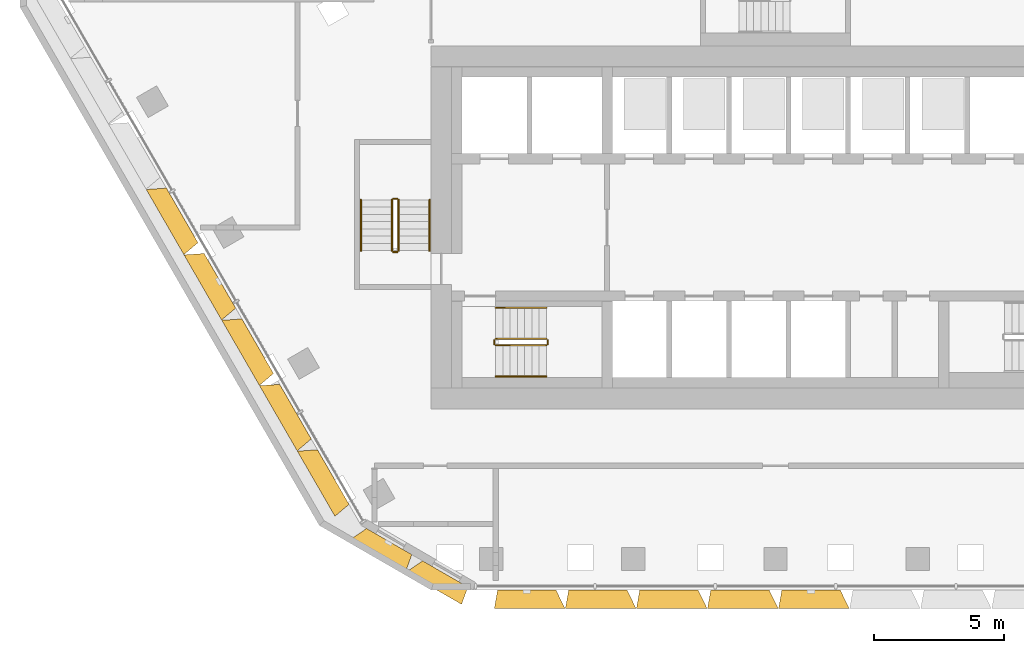
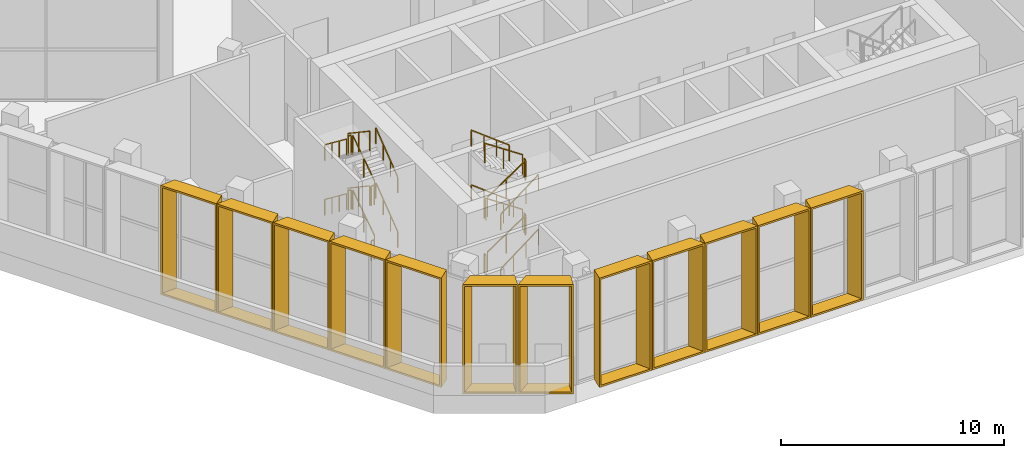
# One storey, part 22 of 27: 24 railings, 12 shading devices.
"""IFC4 building model written with IfcOpenShell, lengths in metres."""

from ifc_helpers import new_model, entity, si_unit, direction, frame, origin, origin_2d, place, context, subcontext, project, spatial, rectangle, extrude, source, transform, mapped, material, type_object, type_shapes, element, save


model = new_model("IFC4")

# Units and contexts
model_context = context("Model", 3, precision=1e-05, world=origin(), true_north=direction((0.0, 1.0)))
body_context = subcontext(model_context, "Body", "Model", "MODEL_VIEW")
ifc_project = project(units=[si_unit("LENGTHUNIT", "METRE"), si_unit("AREAUNIT", "SQUARE_METRE"), si_unit("VOLUMEUNIT", "CUBIC_METRE"), si_unit("PLANEANGLEUNIT", "RADIAN"), si_unit("MASSUNIT", "GRAM", prefix="KILO")], contexts=[model_context])

# Site, building, storey
site_placement = place(None, origin())
site = spatial("IfcSite", under=ifc_project, at=site_placement, CompositionType="ELEMENT")
building_placement = place(site_placement, origin())
building = spatial("IfcBuilding", under=site, at=building_placement, Name="Beryl Residences", CompositionType="ELEMENT")
storey_placement = place(building_placement, frame((0.0, 0.0, 111.60009765625)))
storey = spatial("IfcBuildingStorey", under=building, at=storey_placement, Name="L34", CompositionType="ELEMENT", Elevation=111.60009765625)

# Shading devices
ifc_material_1 = material(Name="Aluminium pale anodised", Category="aluminium")
shading_device_type_1 = type_object("IfcShadingDeviceType", Name="FR250-70B-H60 OUTER SKIN frame 700 mm deep, splay 26/10 deg, 2500 x 6000 mm cell", PredefinedType="USERDEFINED", material=ifc_material_1)
cartesian_point_1 = entity("IfcCartesianPoint", [-1.007568359375, 0.0])
cartesian_point_2 = entity("IfcCartesianPoint", [-0.91845703125, 0.10009765625])
cartesian_point_3 = entity("IfcCartesianPoint", [-1.348876953125, 0.0])
cartesian_point_4 = entity("IfcCartesianPoint", [-1.260009765625, 0.10009765625])
shared_shape_1 = source(origin(), body_context, "Body", "SweptSolid", [
    entity("IfcExtrudedAreaSolidTapered", entity("IfcArbitraryProfileDefWithVoids", "AREA", None, entity("IfcPolyline", [cartesian_point_1, entity("IfcCartesianPoint", [1.007568359375, 0.0]), entity("IfcCartesianPoint", [1.007568359375, 6.0]), entity("IfcCartesianPoint", [-1.007568359375, 6.0]), cartesian_point_1]), [entity("IfcPolyline", [cartesian_point_2, entity("IfcCartesianPoint", [0.92626953125, 0.10009765625]), entity("IfcCartesianPoint", [0.92626953125, 5.89990234375]), entity("IfcCartesianPoint", [-0.91845703125, 5.89990234375]), cartesian_point_2])]), entity("IfcAxis2Placement3D", entity("IfcCartesianPoint", [0.0, 0.0, 0.0]), entity("IfcDirection", [0.0, 1.0, 0.0]), entity("IfcDirection", [-1.0, 0.0, 0.0])), entity("IfcDirection", [0.0, 0.0, 1.0]), 0.699951171875, entity("IfcArbitraryProfileDefWithVoids", "AREA", None, entity("IfcPolyline", [cartesian_point_3, entity("IfcCartesianPoint", [1.130859375, 0.0]), entity("IfcCartesianPoint", [1.130859375, 6.0]), entity("IfcCartesianPoint", [-1.348876953125, 6.0]), cartesian_point_3]), [entity("IfcPolyline", [cartesian_point_4, entity("IfcCartesianPoint", [1.0498046875, 0.10009765625]), entity("IfcCartesianPoint", [1.0498046875, 5.89990234375]), entity("IfcCartesianPoint", [-1.260009765625, 5.89990234375]), cartesian_point_4])])),
])
type_shapes(shading_device_type_1, [shared_shape_1])
for number, where, z_axis, x_axis, name in (
    (1, (-14.909912109375, -24.125, 0.0), (0.0, 0.0, 1.0), (-0.866025403784, 0.5, 0.0), "FR250-70B-H60 frame L34 SW-S 1"),
    (2, (-12.7451171875, -25.375, 0.0), (0.0, 0.0, 1.0), (-0.866025403784, 0.5, 0.0), "FR250-70B-H60 frame L34 SW-S 2"),
):
    element("IfcShadingDevice", number, at=place(storey_placement, frame(where, z_axis=z_axis, x_axis=x_axis)), inside=storey, type_object=shading_device_type_1, Name=name, ObjectType="OUTER SKIN", PredefinedType="USERDEFINED", context=body_context, shape_type="MappedRepresentation", body=[
        mapped(shared_shape_1, transform((0.0, 0.0, 0.0))),
    ])
ifc_material_2 = material(Name="Aluminium pale anodised", Category="aluminium")
shading_device_type_2 = type_object("IfcShadingDeviceType", Name="FR274-70C-H60 OUTER SKIN frame 700 mm deep, splay 10/26 deg, 2740 x 6000 mm cell", PredefinedType="USERDEFINED", material=ifc_material_2)
cartesian_point_5 = entity("IfcCartesianPoint", [-1.12744140625, 0.0])
cartesian_point_6 = entity("IfcCartesianPoint", [-1.04638671875, 0.10009765625])
cartesian_point_7 = entity("IfcCartesianPoint", [-1.2509765625, 0.0])
cartesian_point_8 = entity("IfcCartesianPoint", [-1.169677734375, 0.10009765625])
shared_shape_2 = source(origin(), body_context, "Body", "SweptSolid", [
    entity("IfcExtrudedAreaSolidTapered", entity("IfcArbitraryProfileDefWithVoids", "AREA", None, entity("IfcPolyline", [cartesian_point_5, entity("IfcCartesianPoint", [1.12744140625, 0.0]), entity("IfcCartesianPoint", [1.12744140625, 6.0]), entity("IfcCartesianPoint", [-1.12744140625, 6.0]), cartesian_point_5]), [entity("IfcPolyline", [cartesian_point_6, entity("IfcCartesianPoint", [1.03857421875, 0.10009765625]), entity("IfcCartesianPoint", [1.03857421875, 5.89990234375]), entity("IfcCartesianPoint", [-1.04638671875, 5.89990234375]), cartesian_point_6])]), entity("IfcAxis2Placement3D", entity("IfcCartesianPoint", [0.0, 0.0, 0.0]), entity("IfcDirection", [0.0, 1.0, 0.0]), entity("IfcDirection", [-1.0, 0.0, 0.0])), entity("IfcDirection", [0.0, 0.0, 1.0]), 0.699951171875, entity("IfcArbitraryProfileDefWithVoids", "AREA", None, entity("IfcPolyline", [cartesian_point_7, entity("IfcCartesianPoint", [1.468994140625, 0.0]), entity("IfcCartesianPoint", [1.468994140625, 6.0]), entity("IfcCartesianPoint", [-1.2509765625, 6.0]), cartesian_point_7]), [entity("IfcPolyline", [cartesian_point_8, entity("IfcCartesianPoint", [1.3798828125, 0.10009765625]), entity("IfcCartesianPoint", [1.3798828125, 5.89990234375]), entity("IfcCartesianPoint", [-1.169677734375, 5.89990234375]), cartesian_point_8])])),
])
type_shapes(shading_device_type_2, [shared_shape_2])
for number, where, z_axis, x_axis, name in (
    (3, (-9.597900390625, -26.0, 0.0), (0.0, 0.0, 1.0), (-1.0, 0.0, 0.0), "FR274-70C-H60 frame L34 S 1"),
    (4, (-6.85498046875, -26.0, 0.0), (0.0, 0.0, 1.0), (-1.0, 0.0, 0.0), "FR274-70C-H60 frame L34 S 2"),
    (5, (-4.113037109375, -26.0, 0.0), (0.0, 0.0, 1.0), (-1.0, 0.0, 0.0), "FR274-70C-H60 frame L34 S 3"),
    (6, (-1.3701171875, -26.0, 0.0), (0.0, 0.0, 1.0), (-1.0, 0.0, 0.0), "FR274-70C-H60 frame L34 S 4"),
    (7, (1.3720703125, -26.0, 0.0), (0.0, 0.0, 1.0), (-1.0, 0.0, 0.0), "FR274-70C-H60 frame L34 S 5"),
):
    element("IfcShadingDevice", number, at=place(storey_placement, frame(where, z_axis=z_axis, x_axis=x_axis)), inside=storey, type_object=shading_device_type_2, Name=name, ObjectType="OUTER SKIN", PredefinedType="USERDEFINED", context=body_context, shape_type="MappedRepresentation", body=[
        mapped(shared_shape_2, transform((0.0, 0.0, 0.0))),
    ])
ifc_material_3 = material(Name="Aluminium pale anodised", Category="aluminium")
shading_device_type_3 = type_object("IfcShadingDeviceType", Name="FR292-70B-H60 OUTER SKIN frame 700 mm deep, splay 26/10 deg, 2920 x 6000 mm cell", PredefinedType="USERDEFINED", material=ifc_material_3)
cartesian_point_9 = entity("IfcCartesianPoint", [-1.217529296875, 0.0])
cartesian_point_10 = entity("IfcCartesianPoint", [-1.12841796875, 0.10009765625])
cartesian_point_11 = entity("IfcCartesianPoint", [-1.558837890625, 0.0])
cartesian_point_12 = entity("IfcCartesianPoint", [-1.469970703125, 0.10009765625])
shared_shape_3 = source(origin(), body_context, "Body", "SweptSolid", [
    entity("IfcExtrudedAreaSolidTapered", entity("IfcArbitraryProfileDefWithVoids", "AREA", None, entity("IfcPolyline", [cartesian_point_9, entity("IfcCartesianPoint", [1.217529296875, 0.0]), entity("IfcCartesianPoint", [1.217529296875, 6.0]), entity("IfcCartesianPoint", [-1.217529296875, 6.0]), cartesian_point_9]), [entity("IfcPolyline", [cartesian_point_10, entity("IfcCartesianPoint", [1.13623046875, 0.10009765625]), entity("IfcCartesianPoint", [1.13623046875, 5.89990234375]), entity("IfcCartesianPoint", [-1.12841796875, 5.89990234375]), cartesian_point_10])]), entity("IfcAxis2Placement3D", entity("IfcCartesianPoint", [0.0, 0.0, 0.0]), entity("IfcDirection", [0.0, 1.0, 0.0]), entity("IfcDirection", [-1.0, 0.0, 0.0])), entity("IfcDirection", [0.0, 0.0, 1.0]), 0.699951171875, entity("IfcArbitraryProfileDefWithVoids", "AREA", None, entity("IfcPolyline", [cartesian_point_11, entity("IfcCartesianPoint", [1.3408203125, 0.0]), entity("IfcCartesianPoint", [1.3408203125, 6.0]), entity("IfcCartesianPoint", [-1.558837890625, 6.0]), cartesian_point_11]), [entity("IfcPolyline", [cartesian_point_12, entity("IfcCartesianPoint", [1.259765625, 0.10009765625]), entity("IfcCartesianPoint", [1.259765625, 5.89990234375]), entity("IfcCartesianPoint", [-1.469970703125, 5.89990234375]), cartesian_point_12])])),
])
type_shapes(shading_device_type_3, [shared_shape_3])
for number, where, z_axis, x_axis, name in (
    (8, (-22.89892578125, -11.537109375, 0.0), (0.0, 0.0, 1.0), (-0.5, 0.866025403784, 0.0), "FR292-70B-H60 frame L34 SW 4"),
    (9, (-21.44189453125, -14.06201171875, 0.0), (0.0, 0.0, 1.0), (-0.5, 0.866025403784, 0.0), "FR292-70B-H60 frame L34 SW 5"),
    (10, (-19.98388671875, -16.5859375, 0.0), (0.0, 0.0, 1.0), (-0.5, 0.866025403784, 0.0), "FR292-70B-H60 frame L34 SW 6"),
    (11, (-18.52587890625, -19.111083984375, 0.0), (0.0, 0.0, 1.0), (-0.5, 0.866025403784, 0.0), "FR292-70B-H60 frame L34 SW 7"),
    (12, (-17.068115234375, -21.635986328125, 0.0), (0.0, 0.0, 1.0), (-0.5, 0.866025403784, 0.0), "FR292-70B-H60 frame L34 SW 8"),
):
    element("IfcShadingDevice", number, at=place(storey_placement, frame(where, z_axis=z_axis, x_axis=x_axis)), inside=storey, type_object=shading_device_type_3, Name=name, ObjectType="OUTER SKIN", PredefinedType="USERDEFINED", context=body_context, shape_type="MappedRepresentation", body=[
        mapped(shared_shape_3, transform((0.0, 0.0, 0.0))),
    ])

# Railings
ifc_material_4 = material(Name="Stainless steel balustrade with glass infill", Category="steel")
railing_type_1 = type_object("IfcRailingType", Name="SG1 stair guard 1100 mm", PredefinedType="GUARDRAIL", material=ifc_material_4)
railing_1_placement = place(storey_placement, frame((-10.800048828125, -16.550048828125, 0.1875)))
element("IfcRailing", 13, at=railing_1_placement, inside=storey, type_object=railing_type_1, Name="L34 ST-1 stair guard 1", PredefinedType="GUARDRAIL", context=body_context, shape_type="SweptSolid", body=[
    extrude(rectangle(XDim=0.048095703125, YDim=0.048095703125, at=origin_2d()), frame((0.0, 0.0, 1.076171875), z_axis=(0.830902050051, 0.0, 0.556418712142), x_axis=(0.0, 1.0, 0.0)), (0.0, 0.0, 1.0), 2.35888671875),
    extrude(rectangle(XDim=0.0419921875, YDim=0.0419921875, at=origin_2d()), origin(), (0.0, 0.0, 1.0), 1.052001953125),
    extrude(rectangle(XDim=0.0419921875, YDim=0.0419921875, at=origin_2d()), frame((0.97998046875, 0.0, 0.65625)), (0.0, 0.0, 1.0), 1.052001953125),
    extrude(rectangle(XDim=0.0419921875, YDim=0.0419921875, at=origin_2d()), frame((1.9599609375, 0.0, 1.3125)), (0.0, 0.0, 1.0), 1.052001953125),
])
railing_2_placement = place(storey_placement, frame((-8.7900390625, -16.5, 1.5)))
element("IfcRailing", 14, at=railing_2_placement, inside=storey, type_object=railing_type_1, Name="L34 ST-1 stair guard 2", PredefinedType="GUARDRAIL", context=body_context, shape_type="SweptSolid", body=[
    extrude(rectangle(XDim=0.048095703125, YDim=0.048095703125, at=origin_2d()), frame((0.0, 0.0, 1.076171875), z_axis=(0.0, 1.0, 0.0), x_axis=(-1.0, 0.0, 0.0)), (0.0, 0.0, 1.0), 0.14990234375),
    extrude(rectangle(XDim=0.0419921875, YDim=0.0419921875, at=origin_2d()), origin(), (0.0, 0.0, 1.0), 1.052001953125),
    extrude(rectangle(XDim=0.0419921875, YDim=0.0419921875, at=origin_2d()), frame((0.0, 0.14990234375, 0.0)), (0.0, 0.0, 1.0), 1.052001953125),
])
railing_3_placement = place(storey_placement, frame((-8.840087890625, -16.300048828125, 1.6875)))
element("IfcRailing", 15, at=railing_3_placement, inside=storey, type_object=railing_type_1, Name="L34 ST-1 stair guard 3", PredefinedType="GUARDRAIL", context=body_context, shape_type="SweptSolid", body=[
    extrude(rectangle(XDim=0.048095703125, YDim=0.048095703125, at=origin_2d()), frame((0.0, 0.0, 1.076171875), z_axis=(-0.830902050051, 0.0, 0.556418712142), x_axis=(0.0, -1.0, 0.0)), (0.0, 0.0, 1.0), 2.35888671875),
    extrude(rectangle(XDim=0.0419921875, YDim=0.0419921875, at=origin_2d()), origin(), (0.0, 0.0, 1.0), 1.052001953125),
    extrude(rectangle(XDim=0.0419921875, YDim=0.0419921875, at=origin_2d()), frame((-0.97998046875, 0.0, 0.65625)), (0.0, 0.0, 1.0), 1.052001953125),
    extrude(rectangle(XDim=0.0419921875, YDim=0.0419921875, at=origin_2d()), frame((-1.9599609375, 0.0, 1.3125)), (0.0, 0.0, 1.0), 1.052001953125),
])
railing_4_placement = place(storey_placement, frame((-10.85009765625, -16.5, 3.0)))
element("IfcRailing", 16, at=railing_4_placement, inside=storey, type_object=railing_type_1, Name="L34 ST-1 stair guard 4", PredefinedType="GUARDRAIL", context=body_context, shape_type="SweptSolid", body=[
    extrude(rectangle(XDim=0.048095703125, YDim=0.048095703125, at=origin_2d()), frame((0.0, 0.0, 1.076171875), z_axis=(0.0, 1.0, 0.0), x_axis=(-1.0, 0.0, 0.0)), (0.0, 0.0, 1.0), 0.14990234375),
    extrude(rectangle(XDim=0.0419921875, YDim=0.0419921875, at=origin_2d()), origin(), (0.0, 0.0, 1.0), 1.052001953125),
    extrude(rectangle(XDim=0.0419921875, YDim=0.0419921875, at=origin_2d()), frame((0.0, 0.14990234375, 0.0)), (0.0, 0.0, 1.0), 1.052001953125),
])
railing_5_placement = place(storey_placement, frame((-10.800048828125, -16.550048828125, 3.1875)))
element("IfcRailing", 17, at=railing_5_placement, inside=storey, type_object=railing_type_1, Name="L34 ST-1 stair guard 5", PredefinedType="GUARDRAIL", context=body_context, shape_type="SweptSolid", body=[
    extrude(rectangle(XDim=0.048095703125, YDim=0.048095703125, at=origin_2d()), frame((0.0, 0.0, 1.076171875), z_axis=(0.830902050051, 0.0, 0.556418712142), x_axis=(0.0, 1.0, 0.0)), (0.0, 0.0, 1.0), 2.35888671875),
    extrude(rectangle(XDim=0.0419921875, YDim=0.0419921875, at=origin_2d()), origin(), (0.0, 0.0, 1.0), 1.052001953125),
    extrude(rectangle(XDim=0.0419921875, YDim=0.0419921875, at=origin_2d()), frame((0.97998046875, 0.0, 0.65625)), (0.0, 0.0, 1.0), 1.052001953125),
    extrude(rectangle(XDim=0.0419921875, YDim=0.0419921875, at=origin_2d()), frame((1.9599609375, 0.0, 1.3125)), (0.0, 0.0, 1.0), 1.052001953125),
])
railing_6_placement = place(storey_placement, frame((-8.7900390625, -16.5, 4.5)))
element("IfcRailing", 18, at=railing_6_placement, inside=storey, type_object=railing_type_1, Name="L34 ST-1 stair guard 6", PredefinedType="GUARDRAIL", context=body_context, shape_type="SweptSolid", body=[
    extrude(rectangle(XDim=0.048095703125, YDim=0.048095703125, at=origin_2d()), frame((0.0, 0.0, 1.076171875), z_axis=(0.0, 1.0, 0.0), x_axis=(-1.0, 0.0, 0.0)), (0.0, 0.0, 1.0), 0.14990234375),
    extrude(rectangle(XDim=0.0419921875, YDim=0.0419921875, at=origin_2d()), origin(), (0.0, 0.0, 1.0), 1.052001953125),
    extrude(rectangle(XDim=0.0419921875, YDim=0.0419921875, at=origin_2d()), frame((0.0, 0.14990234375, 0.0)), (0.0, 0.0, 1.0), 1.052001953125),
])
railing_7_placement = place(storey_placement, frame((-8.840087890625, -16.300048828125, 4.6875)))
element("IfcRailing", 19, at=railing_7_placement, inside=storey, type_object=railing_type_1, Name="L34 ST-1 stair guard 7", PredefinedType="GUARDRAIL", context=body_context, shape_type="SweptSolid", body=[
    extrude(rectangle(XDim=0.048095703125, YDim=0.048095703125, at=origin_2d()), frame((0.0, 0.0, 1.076171875), z_axis=(-0.830902050051, 0.0, 0.556418712142), x_axis=(0.0, -1.0, 0.0)), (0.0, 0.0, 1.0), 2.35888671875),
    extrude(rectangle(XDim=0.0419921875, YDim=0.0419921875, at=origin_2d()), origin(), (0.0, 0.0, 1.0), 1.052001953125),
    extrude(rectangle(XDim=0.0419921875, YDim=0.0419921875, at=origin_2d()), frame((-0.97998046875, 0.0, 0.65625)), (0.0, 0.0, 1.0), 1.052001953125),
    extrude(rectangle(XDim=0.0419921875, YDim=0.0419921875, at=origin_2d()), frame((-1.9599609375, 0.0, 1.3125)), (0.0, 0.0, 1.0), 1.052001953125),
])
railing_8_placement = place(storey_placement, frame((-10.85009765625, -16.5, 0.0)))
element("IfcRailing", 20, at=railing_8_placement, inside=storey, type_object=railing_type_1, Name="L34 ST-1 stair guard 8", PredefinedType="GUARDRAIL", context=body_context, shape_type="SweptSolid", body=[
    extrude(rectangle(XDim=0.048095703125, YDim=0.048095703125, at=origin_2d()), frame((0.0, 0.0, 1.076171875), z_axis=(0.0, 1.0, 0.0), x_axis=(-1.0, 0.0, 0.0)), (0.0, 0.0, 1.0), 0.14990234375),
    extrude(rectangle(XDim=0.0419921875, YDim=0.0419921875, at=origin_2d()), origin(), (0.0, 0.0, 1.0), 1.052001953125),
    extrude(rectangle(XDim=0.0419921875, YDim=0.0419921875, at=origin_2d()), frame((0.0, 0.14990234375, 0.0)), (0.0, 0.0, 1.0), 1.052001953125),
])
railing_9_placement = place(storey_placement, frame((-14.550048828125, -12.89990234375, 0.1875)))
element("IfcRailing", 21, at=railing_9_placement, inside=storey, type_object=railing_type_1, Name="L34 ST-2 stair guard 1", PredefinedType="GUARDRAIL", context=body_context, shape_type="SweptSolid", body=[
    extrude(rectangle(XDim=0.048095703125, YDim=0.048095703125, at=origin_2d()), frame((0.0, 0.0, 1.076171875), z_axis=(0.0, 0.830902050051, 0.556418712142), x_axis=(-1.0, 0.0, 0.0)), (0.0, 0.0, 1.0), 2.35888671875),
    extrude(rectangle(XDim=0.0419921875, YDim=0.0419921875, at=origin_2d()), origin(), (0.0, 0.0, 1.0), 1.052001953125),
    extrude(rectangle(XDim=0.0419921875, YDim=0.0419921875, at=origin_2d()), frame((0.0, 0.97998046875, 0.65625)), (0.0, 0.0, 1.0), 1.052001953125),
    extrude(rectangle(XDim=0.0419921875, YDim=0.0419921875, at=origin_2d()), frame((0.0, 1.9599609375, 1.3125)), (0.0, 0.0, 1.0), 1.052001953125),
])
railing_10_placement = place(storey_placement, frame((-14.60009765625, -10.889892578125, 1.5)))
element("IfcRailing", 22, at=railing_10_placement, inside=storey, type_object=railing_type_1, Name="L34 ST-2 stair guard 2", PredefinedType="GUARDRAIL", context=body_context, shape_type="SweptSolid", body=[
    extrude(rectangle(XDim=0.048095703125, YDim=0.048095703125, at=origin_2d()), frame((0.0, 0.0, 1.076171875), z_axis=(-1.0, 0.0, 0.0), x_axis=(0.0, -1.0, 0.0)), (0.0, 0.0, 1.0), 0.14990234375),
    extrude(rectangle(XDim=0.0419921875, YDim=0.0419921875, at=origin_2d()), origin(), (0.0, 0.0, 1.0), 1.052001953125),
    extrude(rectangle(XDim=0.0419921875, YDim=0.0419921875, at=origin_2d()), frame((-0.14990234375, 0.0, 0.0)), (0.0, 0.0, 1.0), 1.052001953125),
])
railing_11_placement = place(storey_placement, frame((-14.800048828125, -10.93994140625, 1.6875)))
element("IfcRailing", 23, at=railing_11_placement, inside=storey, type_object=railing_type_1, Name="L34 ST-2 stair guard 3", PredefinedType="GUARDRAIL", context=body_context, shape_type="SweptSolid", body=[
    extrude(rectangle(XDim=0.048095703125, YDim=0.048095703125, at=origin_2d()), frame((0.0, 0.0, 1.076171875), z_axis=(0.0, -0.830902050051, 0.556418712142), x_axis=(1.0, 0.0, 0.0)), (0.0, 0.0, 1.0), 2.35888671875),
    extrude(rectangle(XDim=0.0419921875, YDim=0.0419921875, at=origin_2d()), origin(), (0.0, 0.0, 1.0), 1.052001953125),
    extrude(rectangle(XDim=0.0419921875, YDim=0.0419921875, at=origin_2d()), frame((0.0, -0.97998046875, 0.65625)), (0.0, 0.0, 1.0), 1.052001953125),
    extrude(rectangle(XDim=0.0419921875, YDim=0.0419921875, at=origin_2d()), frame((0.0, -1.9599609375, 1.3125)), (0.0, 0.0, 1.0), 1.052001953125),
])
railing_12_placement = place(storey_placement, frame((-14.60009765625, -12.949951171875, 3.0)))
element("IfcRailing", 24, at=railing_12_placement, inside=storey, type_object=railing_type_1, Name="L34 ST-2 stair guard 4", PredefinedType="GUARDRAIL", context=body_context, shape_type="SweptSolid", body=[
    extrude(rectangle(XDim=0.048095703125, YDim=0.048095703125, at=origin_2d()), frame((0.0, 0.0, 1.076171875), z_axis=(-1.0, 0.0, 0.0), x_axis=(0.0, -1.0, 0.0)), (0.0, 0.0, 1.0), 0.14990234375),
    extrude(rectangle(XDim=0.0419921875, YDim=0.0419921875, at=origin_2d()), origin(), (0.0, 0.0, 1.0), 1.052001953125),
    extrude(rectangle(XDim=0.0419921875, YDim=0.0419921875, at=origin_2d()), frame((-0.14990234375, 0.0, 0.0)), (0.0, 0.0, 1.0), 1.052001953125),
])
railing_13_placement = place(storey_placement, frame((-14.550048828125, -12.89990234375, 3.1875)))
element("IfcRailing", 25, at=railing_13_placement, inside=storey, type_object=railing_type_1, Name="L34 ST-2 stair guard 5", PredefinedType="GUARDRAIL", context=body_context, shape_type="SweptSolid", body=[
    extrude(rectangle(XDim=0.048095703125, YDim=0.048095703125, at=origin_2d()), frame((0.0, 0.0, 1.076171875), z_axis=(0.0, 0.830902050051, 0.556418712142), x_axis=(-1.0, 0.0, 0.0)), (0.0, 0.0, 1.0), 2.35888671875),
    extrude(rectangle(XDim=0.0419921875, YDim=0.0419921875, at=origin_2d()), origin(), (0.0, 0.0, 1.0), 1.052001953125),
    extrude(rectangle(XDim=0.0419921875, YDim=0.0419921875, at=origin_2d()), frame((0.0, 0.97998046875, 0.65625)), (0.0, 0.0, 1.0), 1.052001953125),
    extrude(rectangle(XDim=0.0419921875, YDim=0.0419921875, at=origin_2d()), frame((0.0, 1.9599609375, 1.3125)), (0.0, 0.0, 1.0), 1.052001953125),
])
railing_14_placement = place(storey_placement, frame((-14.60009765625, -10.889892578125, 4.5)))
element("IfcRailing", 26, at=railing_14_placement, inside=storey, type_object=railing_type_1, Name="L34 ST-2 stair guard 6", PredefinedType="GUARDRAIL", context=body_context, shape_type="SweptSolid", body=[
    extrude(rectangle(XDim=0.048095703125, YDim=0.048095703125, at=origin_2d()), frame((0.0, 0.0, 1.076171875), z_axis=(-1.0, 0.0, 0.0), x_axis=(0.0, -1.0, 0.0)), (0.0, 0.0, 1.0), 0.14990234375),
    extrude(rectangle(XDim=0.0419921875, YDim=0.0419921875, at=origin_2d()), origin(), (0.0, 0.0, 1.0), 1.052001953125),
    extrude(rectangle(XDim=0.0419921875, YDim=0.0419921875, at=origin_2d()), frame((-0.14990234375, 0.0, 0.0)), (0.0, 0.0, 1.0), 1.052001953125),
])
railing_15_placement = place(storey_placement, frame((-14.800048828125, -10.93994140625, 4.6875)))
element("IfcRailing", 27, at=railing_15_placement, inside=storey, type_object=railing_type_1, Name="L34 ST-2 stair guard 7", PredefinedType="GUARDRAIL", context=body_context, shape_type="SweptSolid", body=[
    extrude(rectangle(XDim=0.048095703125, YDim=0.048095703125, at=origin_2d()), frame((0.0, 0.0, 1.076171875), z_axis=(0.0, -0.830902050051, 0.556418712142), x_axis=(1.0, 0.0, 0.0)), (0.0, 0.0, 1.0), 2.35888671875),
    extrude(rectangle(XDim=0.0419921875, YDim=0.0419921875, at=origin_2d()), origin(), (0.0, 0.0, 1.0), 1.052001953125),
    extrude(rectangle(XDim=0.0419921875, YDim=0.0419921875, at=origin_2d()), frame((0.0, -0.97998046875, 0.65625)), (0.0, 0.0, 1.0), 1.052001953125),
    extrude(rectangle(XDim=0.0419921875, YDim=0.0419921875, at=origin_2d()), frame((0.0, -1.9599609375, 1.3125)), (0.0, 0.0, 1.0), 1.052001953125),
])
railing_16_placement = place(storey_placement, frame((-14.60009765625, -12.949951171875, 0.0)))
element("IfcRailing", 28, at=railing_16_placement, inside=storey, type_object=railing_type_1, Name="L34 ST-2 stair guard 8", PredefinedType="GUARDRAIL", context=body_context, shape_type="SweptSolid", body=[
    extrude(rectangle(XDim=0.048095703125, YDim=0.048095703125, at=origin_2d()), frame((0.0, 0.0, 1.076171875), z_axis=(-1.0, 0.0, 0.0), x_axis=(0.0, -1.0, 0.0)), (0.0, 0.0, 1.0), 0.14990234375),
    extrude(rectangle(XDim=0.0419921875, YDim=0.0419921875, at=origin_2d()), origin(), (0.0, 0.0, 1.0), 1.052001953125),
    extrude(rectangle(XDim=0.0419921875, YDim=0.0419921875, at=origin_2d()), frame((-0.14990234375, 0.0, 0.0)), (0.0, 0.0, 1.0), 1.052001953125),
])
ifc_material_5 = material(Name="Stainless steel handrail", Category="steel")
railing_type_2 = type_object("IfcRailingType", Name="SRL1 stair handrail 900 mm", PredefinedType="HANDRAIL", material=ifc_material_5)
railing_17_placement = place(storey_placement, frame((-10.800048828125, -17.75, 0.1875)))
element("IfcRailing", 29, at=railing_17_placement, inside=storey, type_object=railing_type_2, Name="L34 ST-1 stair handrail 1", PredefinedType="HANDRAIL", context=body_context, shape_type="SweptSolid", body=[
    extrude(rectangle(XDim=0.048095703125, YDim=0.048095703125, at=origin_2d()), frame((0.0, 0.0, 0.8759765625), z_axis=(0.794121922505, 0.0, 0.607758481798), x_axis=(0.0, 1.0, 0.0)), (0.0, 0.0, 1.0), 2.468017578125),
    extrude(rectangle(XDim=0.0419921875, YDim=0.0419921875, at=origin_2d()), origin(), (0.0, 0.0, 1.0), 0.851806640625),
    extrude(rectangle(XDim=0.0419921875, YDim=0.0419921875, at=origin_2d()), frame((0.6533203125, 0.0, 0.5)), (0.0, 0.0, 1.0), 0.851806640625),
    extrude(rectangle(XDim=0.0419921875, YDim=0.0419921875, at=origin_2d()), frame((1.306640625, 0.0, 1.0)), (0.0, 0.0, 1.0), 0.851806640625),
    extrude(rectangle(XDim=0.0419921875, YDim=0.0419921875, at=origin_2d()), frame((1.9599609375, 0.0, 1.5)), (0.0, 0.0, 1.0), 0.851806640625),
])
railing_18_placement = place(storey_placement, frame((-8.840087890625, -15.10009765625, 1.6875)))
element("IfcRailing", 30, at=railing_18_placement, inside=storey, type_object=railing_type_2, Name="L34 ST-1 stair handrail 2", PredefinedType="HANDRAIL", context=body_context, shape_type="SweptSolid", body=[
    extrude(rectangle(XDim=0.048095703125, YDim=0.048095703125, at=origin_2d()), frame((0.0, 0.0, 0.8759765625), z_axis=(-0.794121922505, 0.0, 0.607758481798), x_axis=(0.0, -1.0, 0.0)), (0.0, 0.0, 1.0), 2.468017578125),
    extrude(rectangle(XDim=0.0419921875, YDim=0.0419921875, at=origin_2d()), origin(), (0.0, 0.0, 1.0), 0.851806640625),
    extrude(rectangle(XDim=0.0419921875, YDim=0.0419921875, at=origin_2d()), frame((-0.6533203125, 0.0, 0.5)), (0.0, 0.0, 1.0), 0.851806640625),
    extrude(rectangle(XDim=0.0419921875, YDim=0.0419921875, at=origin_2d()), frame((-1.306640625, 0.0, 1.0)), (0.0, 0.0, 1.0), 0.851806640625),
    extrude(rectangle(XDim=0.0419921875, YDim=0.0419921875, at=origin_2d()), frame((-1.9599609375, 0.0, 1.5)), (0.0, 0.0, 1.0), 0.851806640625),
])
railing_19_placement = place(storey_placement, frame((-10.800048828125, -17.75, 3.1875)))
element("IfcRailing", 31, at=railing_19_placement, inside=storey, type_object=railing_type_2, Name="L34 ST-1 stair handrail 3", PredefinedType="HANDRAIL", context=body_context, shape_type="SweptSolid", body=[
    extrude(rectangle(XDim=0.048095703125, YDim=0.048095703125, at=origin_2d()), frame((0.0, 0.0, 0.8759765625), z_axis=(0.794121922505, 0.0, 0.607758481798), x_axis=(0.0, 1.0, 0.0)), (0.0, 0.0, 1.0), 2.468017578125),
    extrude(rectangle(XDim=0.0419921875, YDim=0.0419921875, at=origin_2d()), origin(), (0.0, 0.0, 1.0), 0.851806640625),
    extrude(rectangle(XDim=0.0419921875, YDim=0.0419921875, at=origin_2d()), frame((0.6533203125, 0.0, 0.5)), (0.0, 0.0, 1.0), 0.851806640625),
    extrude(rectangle(XDim=0.0419921875, YDim=0.0419921875, at=origin_2d()), frame((1.306640625, 0.0, 1.0)), (0.0, 0.0, 1.0), 0.851806640625),
    extrude(rectangle(XDim=0.0419921875, YDim=0.0419921875, at=origin_2d()), frame((1.9599609375, 0.0, 1.5)), (0.0, 0.0, 1.0), 0.851806640625),
])
railing_20_placement = place(storey_placement, frame((-8.840087890625, -15.10009765625, 4.6875)))
element("IfcRailing", 32, at=railing_20_placement, inside=storey, type_object=railing_type_2, Name="L34 ST-1 stair handrail 4", PredefinedType="HANDRAIL", context=body_context, shape_type="SweptSolid", body=[
    extrude(rectangle(XDim=0.048095703125, YDim=0.048095703125, at=origin_2d()), frame((0.0, 0.0, 0.8759765625), z_axis=(-0.794121922505, 0.0, 0.607758481798), x_axis=(0.0, -1.0, 0.0)), (0.0, 0.0, 1.0), 2.468017578125),
    extrude(rectangle(XDim=0.0419921875, YDim=0.0419921875, at=origin_2d()), origin(), (0.0, 0.0, 1.0), 0.851806640625),
    extrude(rectangle(XDim=0.0419921875, YDim=0.0419921875, at=origin_2d()), frame((-0.6533203125, 0.0, 0.5)), (0.0, 0.0, 1.0), 0.851806640625),
    extrude(rectangle(XDim=0.0419921875, YDim=0.0419921875, at=origin_2d()), frame((-1.306640625, 0.0, 1.0)), (0.0, 0.0, 1.0), 0.851806640625),
    extrude(rectangle(XDim=0.0419921875, YDim=0.0419921875, at=origin_2d()), frame((-1.9599609375, 0.0, 1.5)), (0.0, 0.0, 1.0), 0.851806640625),
])
railing_21_placement = place(storey_placement, frame((-13.35009765625, -12.89990234375, 0.1875)))
element("IfcRailing", 33, at=railing_21_placement, inside=storey, type_object=railing_type_2, Name="L34 ST-2 stair handrail 1", PredefinedType="HANDRAIL", context=body_context, shape_type="SweptSolid", body=[
    extrude(rectangle(XDim=0.048095703125, YDim=0.048095703125, at=origin_2d()), frame((0.0, 0.0, 0.8759765625), z_axis=(0.0, 0.794121922505, 0.607758481798), x_axis=(-1.0, 0.0, 0.0)), (0.0, 0.0, 1.0), 2.468017578125),
    extrude(rectangle(XDim=0.0419921875, YDim=0.0419921875, at=origin_2d()), origin(), (0.0, 0.0, 1.0), 0.851806640625),
    extrude(rectangle(XDim=0.0419921875, YDim=0.0419921875, at=origin_2d()), frame((0.0, 0.6533203125, 0.5)), (0.0, 0.0, 1.0), 0.851806640625),
    extrude(rectangle(XDim=0.0419921875, YDim=0.0419921875, at=origin_2d()), frame((0.0, 1.306640625, 1.0)), (0.0, 0.0, 1.0), 0.851806640625),
    extrude(rectangle(XDim=0.0419921875, YDim=0.0419921875, at=origin_2d()), frame((0.0, 1.9599609375, 1.5)), (0.0, 0.0, 1.0), 0.851806640625),
])
railing_22_placement = place(storey_placement, frame((-16.0, -10.93994140625, 1.6875)))
element("IfcRailing", 34, at=railing_22_placement, inside=storey, type_object=railing_type_2, Name="L34 ST-2 stair handrail 2", PredefinedType="HANDRAIL", context=body_context, shape_type="SweptSolid", body=[
    extrude(rectangle(XDim=0.048095703125, YDim=0.048095703125, at=origin_2d()), frame((0.0, 0.0, 0.8759765625), z_axis=(0.0, -0.794121922505, 0.607758481798), x_axis=(1.0, 0.0, 0.0)), (0.0, 0.0, 1.0), 2.468017578125),
    extrude(rectangle(XDim=0.0419921875, YDim=0.0419921875, at=origin_2d()), origin(), (0.0, 0.0, 1.0), 0.851806640625),
    extrude(rectangle(XDim=0.0419921875, YDim=0.0419921875, at=origin_2d()), frame((0.0, -0.6533203125, 0.5)), (0.0, 0.0, 1.0), 0.851806640625),
    extrude(rectangle(XDim=0.0419921875, YDim=0.0419921875, at=origin_2d()), frame((0.0, -1.306640625, 1.0)), (0.0, 0.0, 1.0), 0.851806640625),
    extrude(rectangle(XDim=0.0419921875, YDim=0.0419921875, at=origin_2d()), frame((0.0, -1.9599609375, 1.5)), (0.0, 0.0, 1.0), 0.851806640625),
])
railing_23_placement = place(storey_placement, frame((-13.35009765625, -12.89990234375, 3.1875)))
element("IfcRailing", 35, at=railing_23_placement, inside=storey, type_object=railing_type_2, Name="L34 ST-2 stair handrail 3", PredefinedType="HANDRAIL", context=body_context, shape_type="SweptSolid", body=[
    extrude(rectangle(XDim=0.048095703125, YDim=0.048095703125, at=origin_2d()), frame((0.0, 0.0, 0.8759765625), z_axis=(0.0, 0.794121922505, 0.607758481798), x_axis=(-1.0, 0.0, 0.0)), (0.0, 0.0, 1.0), 2.468017578125),
    extrude(rectangle(XDim=0.0419921875, YDim=0.0419921875, at=origin_2d()), origin(), (0.0, 0.0, 1.0), 0.851806640625),
    extrude(rectangle(XDim=0.0419921875, YDim=0.0419921875, at=origin_2d()), frame((0.0, 0.6533203125, 0.5)), (0.0, 0.0, 1.0), 0.851806640625),
    extrude(rectangle(XDim=0.0419921875, YDim=0.0419921875, at=origin_2d()), frame((0.0, 1.306640625, 1.0)), (0.0, 0.0, 1.0), 0.851806640625),
    extrude(rectangle(XDim=0.0419921875, YDim=0.0419921875, at=origin_2d()), frame((0.0, 1.9599609375, 1.5)), (0.0, 0.0, 1.0), 0.851806640625),
])
railing_24_placement = place(storey_placement, frame((-16.0, -10.93994140625, 4.6875)))
element("IfcRailing", 36, at=railing_24_placement, inside=storey, type_object=railing_type_2, Name="L34 ST-2 stair handrail 4", PredefinedType="HANDRAIL", context=body_context, shape_type="SweptSolid", body=[
    extrude(rectangle(XDim=0.048095703125, YDim=0.048095703125, at=origin_2d()), frame((0.0, 0.0, 0.8759765625), z_axis=(0.0, -0.794121922505, 0.607758481798), x_axis=(1.0, 0.0, 0.0)), (0.0, 0.0, 1.0), 2.468017578125),
    extrude(rectangle(XDim=0.0419921875, YDim=0.0419921875, at=origin_2d()), origin(), (0.0, 0.0, 1.0), 0.851806640625),
    extrude(rectangle(XDim=0.0419921875, YDim=0.0419921875, at=origin_2d()), frame((0.0, -0.6533203125, 0.5)), (0.0, 0.0, 1.0), 0.851806640625),
    extrude(rectangle(XDim=0.0419921875, YDim=0.0419921875, at=origin_2d()), frame((0.0, -1.306640625, 1.0)), (0.0, 0.0, 1.0), 0.851806640625),
    extrude(rectangle(XDim=0.0419921875, YDim=0.0419921875, at=origin_2d()), frame((0.0, -1.9599609375, 1.5)), (0.0, 0.0, 1.0), 0.851806640625),
])

save(model, "model.ifc")
